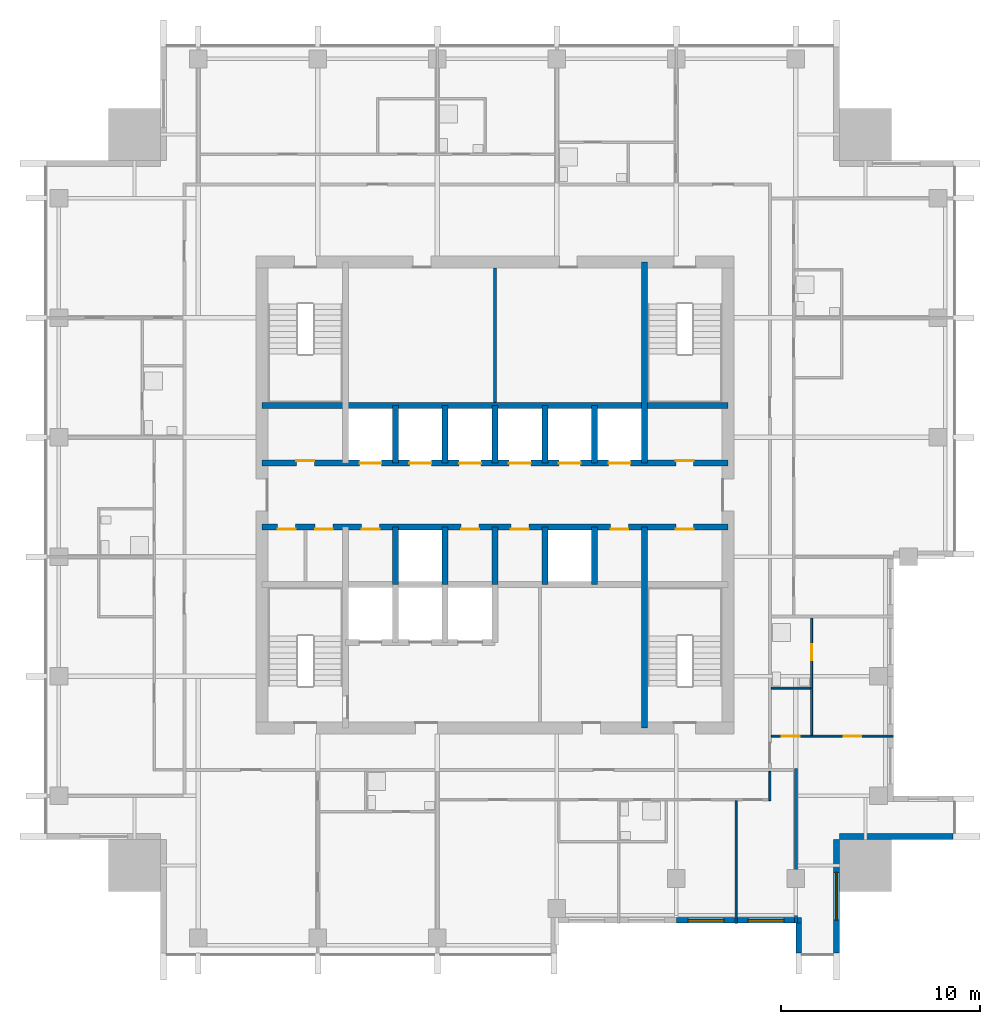
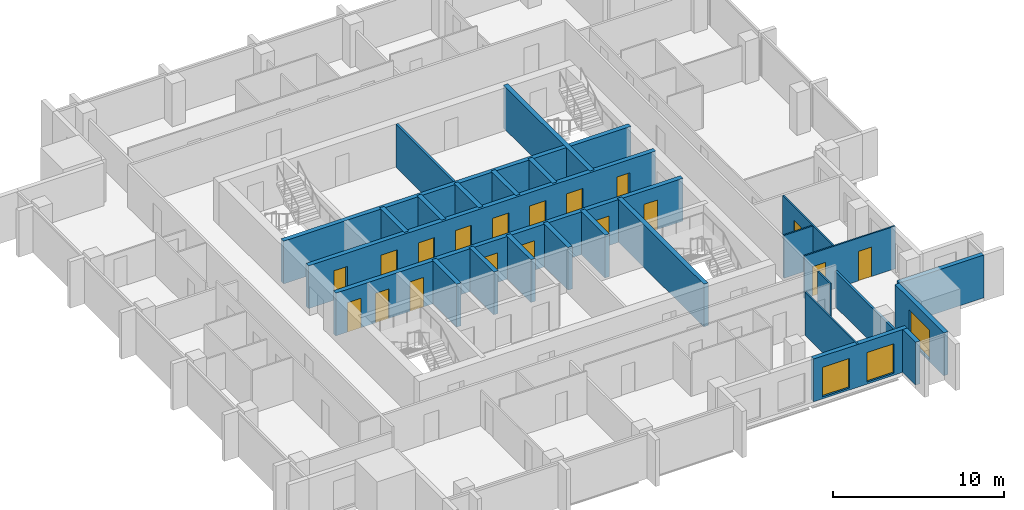
# One storey, part 5 of 9: 26 walls, 18 doors, 3 windows, 21 openings.
"""IFC4 building model written with IfcOpenShell, lengths in metres."""

import ifcopenshell
import ifcopenshell.guid

model = None  # the IFC model being written
_history = None  # IfcOwnerHistory: only IFC2X3 demands one
_inside = {}  # id of a spatial element -> (the spatial element, [elements in it])
_under = {}  # id of a project, library or spatial element -> (it, [spatial elements below it])
_declared = {}  # id of a project -> (the project, [libraries it declares])
_typed = {}  # id of a type object -> (the type object, [elements of that type])
_made_of = {}  # id of a material, layer set ... -> (it, [elements and type objects made of it])


def new_model(schema):
    """Start an empty IFC model of exactly this schema.

    Asked for "IFC4X3", IfcOpenShell would pick the latest addendum, in which some entities
    have other attributes; the version numbers below select the first issue.
    IFC2X3 requires an IfcOwnerHistory on every rooted entity: one is made here for all.
    """
    global model, _history
    if schema == "IFC4X3":
        model = ifcopenshell.file(schema_version=(4, 3, 0, 0))
    else:
        model = ifcopenshell.file(schema=schema)
    _inside.clear()
    _under.clear()
    _declared.clear()
    _typed.clear()
    _made_of.clear()
    _history = None
    if model.schema == "IFC2X3":
        org = make("IfcOrganization", Name="unknown")
        user = make(
            "IfcPersonAndOrganization",
            ThePerson=make("IfcPerson", FamilyName="unknown"),
            TheOrganization=org,
        )
        app = make(
            "IfcApplication",
            ApplicationDeveloper=org,
            Version="unknown",
            ApplicationFullName="unknown",
            ApplicationIdentifier="unknown",
        )
        _history = make(
            "IfcOwnerHistory",
            OwningUser=user,
            OwningApplication=app,
            ChangeAction="ADDED",
            CreationDate=0,
        )
    return model


def make(cls, **values):
    """One entity of the class cls with the attributes given. An attribute that is None is left unset."""
    return model.create_entity(
        cls, **{name: value for name, value in values.items() if value is not None}
    )


def rooted(cls, **values):
    """An entity with a GlobalId (a new one), such as an element, a storey or a relation."""
    return make(cls, GlobalId=ifcopenshell.guid.new(), OwnerHistory=_history, **values)


def si_unit(unit_type, name, prefix=None):
    """IfcSIUnit, for example si_unit("LENGTHUNIT", "METRE", prefix="MILLI")."""
    return make("IfcSIUnit", UnitType=unit_type, Prefix=prefix, Name=name)


def assignment(units):
    """IfcUnitAssignment: the units of a project."""
    return None if units is None else make("IfcUnitAssignment", Units=units)


def point(xyz):
    """IfcCartesianPoint."""
    return None if xyz is None else make("IfcCartesianPoint", Coordinates=xyz)


def direction(xyz):
    """IfcDirection."""
    return None if xyz is None else make("IfcDirection", DirectionRatios=xyz)


def frame(location, z_axis=None, x_axis=None):
    """IfcAxis2Placement3D, a coordinate frame: its origin and axes. An axis left out is left unset."""
    return make(
        "IfcAxis2Placement3D",
        Location=point(location),
        Axis=direction(z_axis),
        RefDirection=direction(x_axis),
    )


def frame_2d(location, x_axis=None):
    """IfcAxis2Placement2D, a coordinate frame in the plane: its origin and x axis."""
    return make(
        "IfcAxis2Placement2D", Location=point(location), RefDirection=direction(x_axis)
    )


def origin():
    """The frame at (0, 0, 0) with its axes left unset."""
    return frame((0.0, 0.0, 0.0))


def place(relative_to, where):
    """IfcLocalPlacement: puts the frame where relative to a parent placement (None: the world)."""
    return make(
        "IfcLocalPlacement", PlacementRelTo=relative_to, RelativePlacement=where
    )


def context(
    kind, dimensions, precision=None, world=None, true_north=None, identifier=None
):
    """IfcGeometricRepresentationContext, for example the 3D "Model" context."""
    return make(
        "IfcGeometricRepresentationContext",
        ContextIdentifier=identifier,
        ContextType=kind,
        CoordinateSpaceDimension=dimensions,
        Precision=precision,
        WorldCoordinateSystem=world,
        TrueNorth=true_north,
    )


def subcontext(parent, identifier, kind, view, scale=None):
    """IfcGeometricRepresentationSubContext, for example "Body" below "Model"."""
    return make(
        "IfcGeometricRepresentationSubContext",
        ContextIdentifier=identifier,
        ContextType=kind,
        ParentContext=parent,
        TargetScale=scale,
        TargetView=view,
    )


def project(units=None, contexts=None):
    """IfcProject with its units and contexts."""
    return rooted(
        "IfcProject",
        Name="project",
        RepresentationContexts=contexts,
        UnitsInContext=assignment(units),
    )


def spatial(cls, under=None, at=None, **own):
    """A site, building, storey or space (cls), placed at a placement, below another one or the project."""
    s = rooted(cls, ObjectPlacement=at, **own)
    if under is not None:
        _under.setdefault(under.id(), (under, []))[1].append(s)
    return s


def profile(cls, at=None, kind="AREA", **sizes):
    """A parametric profile (cls). Its sizes go by their IFC names, for example OverallWidth=200.0."""
    return make(cls, ProfileType=kind, Position=at, **sizes)


def rectangle(**sizes):
    """IfcRectangleProfileDef."""
    return profile("IfcRectangleProfileDef", **sizes)


def extrude(swept, where, along, depth):
    """IfcExtrudedAreaSolid: the profile swept, set in the frame where, extruded along a direction by depth."""
    return make(
        "IfcExtrudedAreaSolid",
        SweptArea=swept,
        Position=where,
        ExtrudedDirection=direction(along),
        Depth=depth,
    )


def shape(context_of_items, identifier, shape_type, items):
    """IfcShapeRepresentation: the items that make up one representation, for example the "Body"."""
    return make(
        "IfcShapeRepresentation",
        ContextOfItems=context_of_items,
        RepresentationIdentifier=identifier,
        RepresentationType=shape_type,
        Items=items,
    )


def material(Name=None, Category=None):
    """IfcMaterial."""
    return make("IfcMaterial", Name=Name, Category=Category)


def layer(
    of_material, thickness, ventilated=None, Name=None, Category=None, Priority=None
):
    """IfcMaterialLayer: one layer of a wall or slab, of a material (None: an air gap)."""
    return make(
        "IfcMaterialLayer",
        Material=of_material,
        LayerThickness=thickness,
        IsVentilated=ventilated,
        Name=Name,
        Category=Category,
        Priority=Priority,
    )


def layer_set(layers, Name=None):
    """IfcMaterialLayerSet."""
    return make("IfcMaterialLayerSet", MaterialLayers=layers, LayerSetName=Name)


def made_of(thing, what):
    """Note that an element or type object is made of a material, layer set ...; save() writes the relation."""
    if what is not None:
        _made_of.setdefault(what.id(), (what, []))[1].append(thing)
    return thing


def type_object(cls, material=None, **own):
    """A type object (cls), such as IfcWallType, which elements share."""
    return made_of(rooted(cls, **own), material)


def element(
    cls,
    number,
    at=None,
    inside=None,
    cuts=None,
    type_object=None,
    material=None,
    context=None,
    identifier="Body",
    shape_type=None,
    held_by="IfcProductDefinitionShape",
    body=None,
    shapes=None,
    **own,
):
    """One element of the class cls, such as IfcWall. Its Tag is "e" and its number.

    at: its placement. inside: the storey or other place that contains it. cuts: it is an
    opening in that element (IfcRelVoidsElement). A single representation is given by context,
    identifier, shape_type and body (its items); several are given by shapes. held_by: the class
    of the entity that holds the representations. save() writes the other relations.
    """
    e = rooted(cls, Tag="e%d" % number, ObjectPlacement=at, **own)
    if body is not None:
        shapes = [shape(context, identifier, shape_type, body)]
    if shapes is not None:
        e.Representation = make(held_by, Representations=shapes)
    if inside is not None:
        _inside.setdefault(inside.id(), (inside, []))[1].append(e)
    if cuts is not None:
        rooted(
            "IfcRelVoidsElement", RelatingBuildingElement=cuts, RelatedOpeningElement=e
        )
    if type_object is not None:
        _typed.setdefault(type_object.id(), (type_object, []))[1].append(e)
    return made_of(e, material)


def fill(opening, filler):
    """IfcRelFillsElement: the door or window that sits in an opening."""
    return rooted(
        "IfcRelFillsElement",
        RelatingOpeningElement=opening,
        RelatedBuildingElement=filler,
    )


def aggregate(whole, parts):
    """IfcRelAggregates: a whole, such as a stair, and the parts it consists of."""
    return rooted("IfcRelAggregates", RelatingObject=whole, RelatedObjects=parts)


def save(model, path):
    """Write the relations noted so far, then the file.

    IfcRelAggregates (storeys below a building ...), IfcRelContainedInSpatialStructure (elements
    in a storey), IfcRelDefinesByType, IfcRelAssociatesMaterial and IfcRelDeclares: one each for
    every whole, place, type object, material and project.
    """
    for whole, parts in _under.values():
        aggregate(whole, parts)
    for where, things in _inside.values():
        rooted(
            "IfcRelContainedInSpatialStructure",
            RelatedElements=things,
            RelatingStructure=where,
        )
    for kind, things in _typed.values():
        rooted("IfcRelDefinesByType", RelatedObjects=things, RelatingType=kind)
    for what, things in _made_of.values():
        rooted("IfcRelAssociatesMaterial", RelatedObjects=things, RelatingMaterial=what)
    for by, libraries in _declared.values():
        rooted("IfcRelDeclares", RelatingContext=by, RelatedDefinitions=libraries)
    model.write(path)


model = new_model("IFC4")

# Units and contexts
model_context = context("Model", 3, precision=1e-05, world=origin(), true_north=direction((0.0, 1.0)))
body_context = subcontext(model_context, "Body", "Model", "MODEL_VIEW")
ifc_project = project(units=[si_unit("LENGTHUNIT", "METRE"), si_unit("AREAUNIT", "SQUARE_METRE"), si_unit("VOLUMEUNIT", "CUBIC_METRE"), si_unit("PLANEANGLEUNIT", "RADIAN"), si_unit("MASSUNIT", "GRAM", prefix="KILO")], contexts=[model_context])

# Site, building, storey
site_placement = place(None, origin())
site = spatial("IfcSite", under=ifc_project, at=site_placement, CompositionType="ELEMENT")
building_placement = place(site_placement, origin())
building = spatial("IfcBuilding", under=site, at=building_placement, Name="Amberfall Residences", CompositionType="ELEMENT")
storey_placement = place(building_placement, frame((0.0, 0.0, 210.10009765625)))
storey = spatial("IfcBuildingStorey", under=building, at=storey_placement, Name="L56", CompositionType="ELEMENT", Elevation=210.10009765625)

# Wall
ifc_material_1 = material(Name="Pale stone cladding on insulated backing", Category="masonry")
ifc_layer_1 = layer(ifc_material_1, 0.300048828125)
ifc_layer_set_1 = layer_set([ifc_layer_1], Name="Bronze clad wall 300")
wall_type_1 = type_object("IfcWallType", Name="Bronze clad wall 300", PredefinedType="SOLIDWALL", material=ifc_layer_set_1)
wall_1_placement = place(storey_placement, frame((89.75, 24.0, 0.0), z_axis=(0.0, 0.0, 1.0), x_axis=(0.0, -1.0, 0.0)))
element("IfcWall", 1, at=wall_1_placement, inside=storey, type_object=wall_type_1, Name="External wall L56 S", PredefinedType="SOLIDWALL", context=body_context, shape_type="SweptSolid", body=[
    extrude(rectangle(XDim=1.5, YDim=0.300048828125, at=frame_2d((0.75, 0.0))), origin(), (0.0, 0.0, 1.0), 3.0498046875),
])

# Wall, opening, window
wall_2_placement = place(storey_placement, frame((91.64990234375, 22.5, 0.0), z_axis=(0.0, 0.0, 1.0), x_axis=(0.0, 1.0, 0.0)))
wall_2 = element("IfcWall", 2, at=wall_2_placement, inside=storey, type_object=wall_type_1, Name="External wall L56 SE", PredefinedType="SOLIDWALL", context=body_context, shape_type="SweptSolid", body=[
    extrude(rectangle(XDim=5.699951171875, YDim=0.300048828125, at=frame_2d((2.85009765625, 0.0))), origin(), (0.0, 0.0, 1.0), 3.0498046875),
])
opening_1_placement = place(wall_2_placement, frame((1.64990234375, 0.0, 0.14990234375)))
opening_1 = element("IfcOpeningElement", 3, at=opening_1_placement, cuts=wall_2, Name="Opening WN5", PredefinedType="OPENING", context=body_context, shape_type="SweptSolid", body=[
    extrude(rectangle(XDim=2.39990234375, YDim=2.10009765625, at=frame_2d((1.199951171875, 1.050048828125))), frame((0.0, 0.159912109375, 0.0), z_axis=(0.0, -1.0, 0.0), x_axis=(1.0, 0.0, 0.0)), (0.0, 0.0, 1.0), 0.320068359375),
])
ifc_material_2 = material(Name="Bronze aluminium framed glazing", Category="aluminium")
window_type_1 = type_object("IfcWindowType", Name="Glazed opening 2400 x 2100 bronze", PartitioningType="DOUBLE_PANEL_VERTICAL", PredefinedType="WINDOW", material=ifc_material_2)
window_1_placement = place(opening_1_placement, origin())
window_1 = element("IfcWindow", 4, at=window_1_placement, inside=storey, type_object=window_type_1, Name="Window L56 SE", OverallHeight=2.10009765625, OverallWidth=2.39990234375, PartitioningType="DOUBLE_PANEL_VERTICAL", PredefinedType="WINDOW", context=body_context, shape_type="SweptSolid", body=[
    extrude(rectangle(XDim=2.39990234375, YDim=2.10009765625, at=frame_2d((1.199951171875, 1.050048828125))), frame((0.0, 0.030029296875, 0.0), z_axis=(0.0, -1.0, 0.0), x_axis=(1.0, 0.0, 0.0)), (0.0, 0.0, 1.0), 0.06005859375),
])
fill(opening_1, window_1)

# Wall
wall_3_placement = place(storey_placement, frame((91.800048828125, 28.35009765625, 0.0), z_axis=(0.0, 0.0, 1.0), x_axis=(1.0, 0.0, 0.0)))
element("IfcWall", 5, at=wall_3_placement, inside=storey, type_object=wall_type_1, Name="External wall L56 SE", PredefinedType="SOLIDWALL", context=body_context, shape_type="SweptSolid", body=[
    extrude(rectangle(XDim=5.699951171875, YDim=0.300048828125, at=frame_2d((2.85009765625, 0.0))), origin(), (0.0, 0.0, 1.0), 3.0498046875),
])

# Wall, openings, windows
wall_4_placement = place(storey_placement, frame((83.60009765625, 24.14990234375, 0.0), z_axis=(0.0, 0.0, 1.0), x_axis=(1.0, 0.0, 0.0)))
wall_4 = element("IfcWall", 6, at=wall_4_placement, inside=storey, type_object=wall_type_1, Name="Stone wall L56 S", PredefinedType="SOLIDWALL", context=body_context, shape_type="SweptSolid", body=[
    extrude(rectangle(XDim=6.2998046875, YDim=0.300048828125, at=frame_2d((3.14990234375, 0.0))), origin(), (0.0, 0.0, 1.0), 3.0498046875),
])
opening_2_placement = place(wall_4_placement, frame((0.60009765625, 0.0, 0.14990234375)))
opening_2 = element("IfcOpeningElement", 7, at=opening_2_placement, cuts=wall_4, Name="Opening WN6", PredefinedType="OPENING", context=body_context, shape_type="SweptSolid", body=[
    extrude(rectangle(XDim=1.800048828125, YDim=2.10009765625, at=frame_2d((0.89990234375, 1.050048828125))), frame((0.0, 0.159912109375, 0.0), z_axis=(0.0, -1.0, 0.0), x_axis=(1.0, 0.0, 0.0)), (0.0, 0.0, 1.0), 0.320068359375),
])
opening_3_placement = place(wall_4_placement, frame((3.60009765625, 0.0, 0.14990234375)))
opening_3 = element("IfcOpeningElement", 8, at=opening_3_placement, cuts=wall_4, Name="Opening WN6", PredefinedType="OPENING", context=body_context, shape_type="SweptSolid", body=[
    extrude(rectangle(XDim=1.800048828125, YDim=2.10009765625, at=frame_2d((0.89990234375, 1.050048828125))), frame((0.0, 0.159912109375, 0.0), z_axis=(0.0, -1.0, 0.0), x_axis=(1.0, 0.0, 0.0)), (0.0, 0.0, 1.0), 0.320068359375),
])
window_type_2 = type_object("IfcWindowType", Name="Glazed opening 1800 x 2100 bronze", PartitioningType="DOUBLE_PANEL_VERTICAL", PredefinedType="WINDOW", material=ifc_material_2)
window_2_placement = place(opening_2_placement, origin())
window_2 = element("IfcWindow", 9, at=window_2_placement, inside=storey, type_object=window_type_2, Name="Window L56 S", OverallHeight=2.10009765625, OverallWidth=1.800048828125, PartitioningType="DOUBLE_PANEL_VERTICAL", PredefinedType="WINDOW", context=body_context, shape_type="SweptSolid", body=[
    extrude(rectangle(XDim=1.800048828125, YDim=2.10009765625, at=frame_2d((0.89990234375, 1.050048828125))), frame((0.0, 0.030029296875, 0.0), z_axis=(0.0, -1.0, 0.0), x_axis=(1.0, 0.0, 0.0)), (0.0, 0.0, 1.0), 0.06005859375),
])
fill(opening_2, window_2)
window_3_placement = place(opening_3_placement, origin())
window_3 = element("IfcWindow", 10, at=window_3_placement, inside=storey, type_object=window_type_2, Name="Window L56 S", OverallHeight=2.10009765625, OverallWidth=1.800048828125, PartitioningType="DOUBLE_PANEL_VERTICAL", PredefinedType="WINDOW", context=body_context, shape_type="SweptSolid", body=[
    extrude(rectangle(XDim=1.800048828125, YDim=2.10009765625, at=frame_2d((0.89990234375, 1.050048828125))), frame((0.0, 0.030029296875, 0.0), z_axis=(0.0, -1.0, 0.0), x_axis=(1.0, 0.0, 0.0)), (0.0, 0.0, 1.0), 0.06005859375),
])
fill(opening_3, window_3)

# Wall, openings, doors
ifc_material_3 = material(Name="Concrete C55", Category="concrete")
ifc_layer_2 = layer(ifc_material_3, 0.300048828125)
ifc_layer_set_2 = layer_set([ifc_layer_2], Name="Core wall 300 C55")
wall_type_2 = type_object("IfcWallType", Name="Core wall 300 C55", PredefinedType="SHEAR", material=ifc_layer_set_2)
wall_5_placement = place(storey_placement, frame((62.800048828125, 43.89990234375, 0.0), z_axis=(0.0, 0.0, 1.0), x_axis=(1.0, 0.0, 0.0)))
wall_5 = element("IfcWall", 11, at=wall_5_placement, inside=storey, type_object=wall_type_2, Name="Core wall RW8 L56 H104", PredefinedType="SHEAR", context=body_context, shape_type="SweptSolid", body=[
    extrude(rectangle(XDim=23.39990234375, YDim=0.300048828125, at=frame_2d((11.699951171875, 0.0))), origin(), (0.0, 0.0, 1.0), 3.0498046875),
])
opening_4_placement = place(wall_5_placement, frame((0.78759765625, 0.0, 0.0)))
opening_4 = element("IfcOpeningElement", 12, at=opening_4_placement, cuts=wall_5, Name="Opening RD1", PredefinedType="OPENING", context=body_context, shape_type="SweptSolid", body=[
    extrude(rectangle(XDim=0.89990234375, YDim=2.10009765625, at=frame_2d((0.449951171875, 1.050048828125))), frame((0.0, 0.159912109375, 0.0), z_axis=(0.0, -1.0, 0.0), x_axis=(1.0, 0.0, 0.0)), (0.0, 0.0, 1.0), 0.320068359375),
])
opening_5_placement = place(wall_5_placement, frame((2.66259765625, 0.0, 0.0)))
opening_5 = element("IfcOpeningElement", 13, at=opening_5_placement, cuts=wall_5, Name="Opening RD1", PredefinedType="OPENING", context=body_context, shape_type="SweptSolid", body=[
    extrude(rectangle(XDim=0.89990234375, YDim=2.10009765625, at=frame_2d((0.449951171875, 1.050048828125))), frame((0.0, 0.159912109375, 0.0), z_axis=(0.0, -1.0, 0.0), x_axis=(1.0, 0.0, 0.0)), (0.0, 0.0, 1.0), 0.320068359375),
])
opening_6_placement = place(wall_5_placement, frame((20.77490234375, 0.0, 0.0)))
opening_6 = element("IfcOpeningElement", 14, at=opening_6_placement, cuts=wall_5, Name="Opening RD1", PredefinedType="OPENING", context=body_context, shape_type="SweptSolid", body=[
    extrude(rectangle(XDim=0.89990234375, YDim=2.10009765625, at=frame_2d((0.449951171875, 1.050048828125))), frame((0.0, 0.159912109375, 0.0), z_axis=(0.0, -1.0, 0.0), x_axis=(1.0, 0.0, 0.0)), (0.0, 0.0, 1.0), 0.320068359375),
])
opening_7_placement = place(wall_5_placement, frame((5.0, 0.0, 0.0)))
opening_7 = element("IfcOpeningElement", 15, at=opening_7_placement, cuts=wall_5, Name="Opening RD1", PredefinedType="OPENING", context=body_context, shape_type="SweptSolid", body=[
    extrude(rectangle(XDim=0.89990234375, YDim=2.10009765625, at=frame_2d((0.449951171875, 1.050048828125))), frame((0.0, 0.159912109375, 0.0), z_axis=(0.0, -1.0, 0.0), x_axis=(1.0, 0.0, 0.0)), (0.0, 0.0, 1.0), 0.320068359375),
])
opening_8_placement = place(wall_5_placement, frame((10.0, 0.0, 0.0)))
opening_8 = element("IfcOpeningElement", 16, at=opening_8_placement, cuts=wall_5, Name="Opening RD1", PredefinedType="OPENING", context=body_context, shape_type="SweptSolid", body=[
    extrude(rectangle(XDim=0.89990234375, YDim=2.10009765625, at=frame_2d((0.449951171875, 1.050048828125))), frame((0.0, 0.159912109375, 0.0), z_axis=(0.0, -1.0, 0.0), x_axis=(1.0, 0.0, 0.0)), (0.0, 0.0, 1.0), 0.320068359375),
])
opening_9_placement = place(wall_5_placement, frame((12.5, 0.0, 0.0)))
opening_9 = element("IfcOpeningElement", 17, at=opening_9_placement, cuts=wall_5, Name="Opening RD1", PredefinedType="OPENING", context=body_context, shape_type="SweptSolid", body=[
    extrude(rectangle(XDim=0.89990234375, YDim=2.10009765625, at=frame_2d((0.449951171875, 1.050048828125))), frame((0.0, 0.159912109375, 0.0), z_axis=(0.0, -1.0, 0.0), x_axis=(1.0, 0.0, 0.0)), (0.0, 0.0, 1.0), 0.320068359375),
])
opening_10_placement = place(wall_5_placement, frame((17.5, 0.0, 0.0)))
opening_10 = element("IfcOpeningElement", 18, at=opening_10_placement, cuts=wall_5, Name="Opening RD1", PredefinedType="OPENING", context=body_context, shape_type="SweptSolid", body=[
    extrude(rectangle(XDim=0.89990234375, YDim=2.10009765625, at=frame_2d((0.449951171875, 1.050048828125))), frame((0.0, 0.159912109375, 0.0), z_axis=(0.0, -1.0, 0.0), x_axis=(1.0, 0.0, 0.0)), (0.0, 0.0, 1.0), 0.320068359375),
])
ifc_material_4 = material(Name="Steel fire door set", Category="steel")
door_type_1 = type_object("IfcDoorType", Name="Service room door 900 x 2100", OperationType="SINGLE_SWING_LEFT", PredefinedType="DOOR", material=ifc_material_4)
door_1_placement = place(opening_4_placement, origin())
door_1 = element("IfcDoor", 19, at=door_1_placement, inside=storey, type_object=door_type_1, Name="RD1 L56", OperationType="SINGLE_SWING_LEFT", OverallHeight=2.10009765625, OverallWidth=0.89990234375, PredefinedType="DOOR", context=body_context, shape_type="SweptSolid", body=[
    extrude(rectangle(XDim=0.89990234375, YDim=2.10009765625, at=frame_2d((0.449951171875, 1.050048828125))), frame((0.0, -0.08740234375, 0.0), z_axis=(0.0, -1.0, 0.0), x_axis=(1.0, 0.0, 0.0)), (0.0, 0.0, 1.0), 0.050048828125),
])
fill(opening_4, door_1)
door_2_placement = place(opening_5_placement, origin())
door_2 = element("IfcDoor", 20, at=door_2_placement, inside=storey, type_object=door_type_1, Name="RD1 L56", OperationType="SINGLE_SWING_RIGHT", OverallHeight=2.10009765625, OverallWidth=0.89990234375, PredefinedType="DOOR", context=body_context, shape_type="SweptSolid", body=[
    extrude(rectangle(XDim=0.89990234375, YDim=2.10009765625, at=frame_2d((0.449951171875, 1.050048828125))), frame((0.0, -0.08740234375, 0.0), z_axis=(0.0, -1.0, 0.0), x_axis=(1.0, 0.0, 0.0)), (0.0, 0.0, 1.0), 0.050048828125),
])
fill(opening_5, door_2)
door_3_placement = place(opening_6_placement, origin())
door_3 = element("IfcDoor", 21, at=door_3_placement, inside=storey, type_object=door_type_1, Name="RD1 L56", OperationType="SINGLE_SWING_LEFT", OverallHeight=2.10009765625, OverallWidth=0.89990234375, PredefinedType="DOOR", context=body_context, shape_type="SweptSolid", body=[
    extrude(rectangle(XDim=0.89990234375, YDim=2.10009765625, at=frame_2d((0.449951171875, 1.050048828125))), frame((0.0, -0.08740234375, 0.0), z_axis=(0.0, -1.0, 0.0), x_axis=(1.0, 0.0, 0.0)), (0.0, 0.0, 1.0), 0.050048828125),
])
fill(opening_6, door_3)
door_4_placement = place(opening_7_placement, origin())
door_4 = element("IfcDoor", 22, at=door_4_placement, inside=storey, type_object=door_type_1, Name="RD1 L56", OperationType="SINGLE_SWING_RIGHT", OverallHeight=2.10009765625, OverallWidth=0.89990234375, PredefinedType="DOOR", context=body_context, shape_type="SweptSolid", body=[
    extrude(rectangle(XDim=0.89990234375, YDim=2.10009765625, at=frame_2d((0.449951171875, 1.050048828125))), frame((0.0, -0.08740234375, 0.0), z_axis=(0.0, -1.0, 0.0), x_axis=(1.0, 0.0, 0.0)), (0.0, 0.0, 1.0), 0.050048828125),
])
fill(opening_7, door_4)
door_5_placement = place(opening_8_placement, origin())
door_5 = element("IfcDoor", 23, at=door_5_placement, inside=storey, type_object=door_type_1, Name="RD1 L56", OperationType="SINGLE_SWING_RIGHT", OverallHeight=2.10009765625, OverallWidth=0.89990234375, PredefinedType="DOOR", context=body_context, shape_type="SweptSolid", body=[
    extrude(rectangle(XDim=0.89990234375, YDim=2.10009765625, at=frame_2d((0.449951171875, 1.050048828125))), frame((0.0, -0.08740234375, 0.0), z_axis=(0.0, -1.0, 0.0), x_axis=(1.0, 0.0, 0.0)), (0.0, 0.0, 1.0), 0.050048828125),
])
fill(opening_8, door_5)
door_6_placement = place(opening_9_placement, origin())
door_6 = element("IfcDoor", 24, at=door_6_placement, inside=storey, type_object=door_type_1, Name="RD1 L56", OperationType="SINGLE_SWING_LEFT", OverallHeight=2.10009765625, OverallWidth=0.89990234375, PredefinedType="DOOR", context=body_context, shape_type="SweptSolid", body=[
    extrude(rectangle(XDim=0.89990234375, YDim=2.10009765625, at=frame_2d((0.449951171875, 1.050048828125))), frame((0.0, -0.08740234375, 0.0), z_axis=(0.0, -1.0, 0.0), x_axis=(1.0, 0.0, 0.0)), (0.0, 0.0, 1.0), 0.050048828125),
])
fill(opening_9, door_6)
door_7_placement = place(opening_10_placement, origin())
door_7 = element("IfcDoor", 25, at=door_7_placement, inside=storey, type_object=door_type_1, Name="RD1 L56", OperationType="SINGLE_SWING_LEFT", OverallHeight=2.10009765625, OverallWidth=0.89990234375, PredefinedType="DOOR", context=body_context, shape_type="SweptSolid", body=[
    extrude(rectangle(XDim=0.89990234375, YDim=2.10009765625, at=frame_2d((0.449951171875, 1.050048828125))), frame((0.0, -0.08740234375, 0.0), z_axis=(0.0, -1.0, 0.0), x_axis=(1.0, 0.0, 0.0)), (0.0, 0.0, 1.0), 0.050048828125),
])
fill(opening_10, door_7)

wall_6_placement = place(storey_placement, frame((62.800048828125, 47.10009765625, 0.0), z_axis=(0.0, 0.0, 1.0), x_axis=(1.0, 0.0, 0.0)))
wall_6 = element("IfcWall", 26, at=wall_6_placement, inside=storey, type_object=wall_type_2, Name="Core wall RW8 L56 H136", PredefinedType="SHEAR", context=body_context, shape_type="SweptSolid", body=[
    extrude(rectangle(XDim=23.39990234375, YDim=0.300048828125, at=frame_2d((11.699951171875, 0.0))), origin(), (0.0, 0.0, 1.0), 3.0498046875),
])
opening_11_placement = place(wall_6_placement, frame((1.72509765625, 0.0, 0.0)))
opening_11 = element("IfcOpeningElement", 27, at=opening_11_placement, cuts=wall_6, Name="Opening RD1", PredefinedType="OPENING", context=body_context, shape_type="SweptSolid", body=[
    extrude(rectangle(XDim=0.89990234375, YDim=2.10009765625, at=frame_2d((0.449951171875, 1.050048828125))), frame((0.0, 0.159912109375, 0.0), z_axis=(0.0, -1.0, 0.0), x_axis=(1.0, 0.0, 0.0)), (0.0, 0.0, 1.0), 0.320068359375),
])
opening_12_placement = place(wall_6_placement, frame((20.77490234375, 0.0, 0.0)))
opening_12 = element("IfcOpeningElement", 28, at=opening_12_placement, cuts=wall_6, Name="Opening RD1", PredefinedType="OPENING", context=body_context, shape_type="SweptSolid", body=[
    extrude(rectangle(XDim=0.89990234375, YDim=2.10009765625, at=frame_2d((0.449951171875, 1.050048828125))), frame((0.0, 0.159912109375, 0.0), z_axis=(0.0, -1.0, 0.0), x_axis=(1.0, 0.0, 0.0)), (0.0, 0.0, 1.0), 0.320068359375),
])
opening_13_placement = place(wall_6_placement, frame((4.89990234375, 0.0, 0.0)))
opening_13 = element("IfcOpeningElement", 29, at=opening_13_placement, cuts=wall_6, Name="Opening LD1", PredefinedType="OPENING", context=body_context, shape_type="SweptSolid", body=[
    extrude(rectangle(XDim=1.10009765625, YDim=2.10009765625, at=frame_2d((0.550048828125, 1.050048828125))), frame((0.0, 0.159912109375, 0.0), z_axis=(0.0, -1.0, 0.0), x_axis=(1.0, 0.0, 0.0)), (0.0, 0.0, 1.0), 0.320068359375),
])
opening_14_placement = place(wall_6_placement, frame((7.39990234375, 0.0, 0.0)))
opening_14 = element("IfcOpeningElement", 30, at=opening_14_placement, cuts=wall_6, Name="Opening LD1", PredefinedType="OPENING", context=body_context, shape_type="SweptSolid", body=[
    extrude(rectangle(XDim=1.10009765625, YDim=2.10009765625, at=frame_2d((0.550048828125, 1.050048828125))), frame((0.0, 0.159912109375, 0.0), z_axis=(0.0, -1.0, 0.0), x_axis=(1.0, 0.0, 0.0)), (0.0, 0.0, 1.0), 0.320068359375),
])
opening_15_placement = place(wall_6_placement, frame((9.89990234375, 0.0, 0.0)))
opening_15 = element("IfcOpeningElement", 31, at=opening_15_placement, cuts=wall_6, Name="Opening LD1", PredefinedType="OPENING", context=body_context, shape_type="SweptSolid", body=[
    extrude(rectangle(XDim=1.10009765625, YDim=2.10009765625, at=frame_2d((0.550048828125, 1.050048828125))), frame((0.0, 0.159912109375, 0.0), z_axis=(0.0, -1.0, 0.0), x_axis=(1.0, 0.0, 0.0)), (0.0, 0.0, 1.0), 0.320068359375),
])
opening_16_placement = place(wall_6_placement, frame((12.39990234375, 0.0, 0.0)))
opening_16 = element("IfcOpeningElement", 32, at=opening_16_placement, cuts=wall_6, Name="Opening LD1", PredefinedType="OPENING", context=body_context, shape_type="SweptSolid", body=[
    extrude(rectangle(XDim=1.10009765625, YDim=2.10009765625, at=frame_2d((0.550048828125, 1.050048828125))), frame((0.0, 0.159912109375, 0.0), z_axis=(0.0, -1.0, 0.0), x_axis=(1.0, 0.0, 0.0)), (0.0, 0.0, 1.0), 0.320068359375),
])
opening_17_placement = place(wall_6_placement, frame((14.89990234375, 0.0, 0.0)))
opening_17 = element("IfcOpeningElement", 33, at=opening_17_placement, cuts=wall_6, Name="Opening LD1", PredefinedType="OPENING", context=body_context, shape_type="SweptSolid", body=[
    extrude(rectangle(XDim=1.10009765625, YDim=2.10009765625, at=frame_2d((0.550048828125, 1.050048828125))), frame((0.0, 0.159912109375, 0.0), z_axis=(0.0, -1.0, 0.0), x_axis=(1.0, 0.0, 0.0)), (0.0, 0.0, 1.0), 0.320068359375),
])
opening_18_placement = place(wall_6_placement, frame((17.39990234375, 0.0, 0.0)))
opening_18 = element("IfcOpeningElement", 34, at=opening_18_placement, cuts=wall_6, Name="Opening LD1", PredefinedType="OPENING", context=body_context, shape_type="SweptSolid", body=[
    extrude(rectangle(XDim=1.10009765625, YDim=2.10009765625, at=frame_2d((0.550048828125, 1.050048828125))), frame((0.0, 0.159912109375, 0.0), z_axis=(0.0, -1.0, 0.0), x_axis=(1.0, 0.0, 0.0)), (0.0, 0.0, 1.0), 0.320068359375),
])
door_type_2 = type_object("IfcDoorType", Name="Lift landing door 1100 x 2100", OperationType="DOUBLE_DOOR_SLIDING", PredefinedType="DOOR", material=ifc_material_4)
door_8_placement = place(opening_13_placement, origin())
door_8 = element("IfcDoor", 35, at=door_8_placement, inside=storey, type_object=door_type_2, Name="Landing door HP1 L56", OperationType="DOUBLE_DOOR_SLIDING", OverallHeight=2.10009765625, OverallWidth=1.10009765625, PredefinedType="DOOR", context=body_context, shape_type="SweptSolid", body=[
    extrude(rectangle(XDim=1.10009765625, YDim=2.10009765625, at=frame_2d((0.550048828125, 1.050048828125))), frame((0.0, 0.02490234375, 0.0), z_axis=(0.0, -1.0, 0.0), x_axis=(1.0, 0.0, 0.0)), (0.0, 0.0, 1.0), 0.050048828125),
])
fill(opening_13, door_8)
door_9_placement = place(opening_14_placement, origin())
door_9 = element("IfcDoor", 36, at=door_9_placement, inside=storey, type_object=door_type_2, Name="Landing door HP2 L56", OperationType="DOUBLE_DOOR_SLIDING", OverallHeight=2.10009765625, OverallWidth=1.10009765625, PredefinedType="DOOR", context=body_context, shape_type="SweptSolid", body=[
    extrude(rectangle(XDim=1.10009765625, YDim=2.10009765625, at=frame_2d((0.550048828125, 1.050048828125))), frame((0.0, 0.02490234375, 0.0), z_axis=(0.0, -1.0, 0.0), x_axis=(1.0, 0.0, 0.0)), (0.0, 0.0, 1.0), 0.050048828125),
])
fill(opening_14, door_9)
door_10_placement = place(opening_15_placement, origin())
door_10 = element("IfcDoor", 37, at=door_10_placement, inside=storey, type_object=door_type_2, Name="Landing door HP3 L56", OperationType="DOUBLE_DOOR_SLIDING", OverallHeight=2.10009765625, OverallWidth=1.10009765625, PredefinedType="DOOR", context=body_context, shape_type="SweptSolid", body=[
    extrude(rectangle(XDim=1.10009765625, YDim=2.10009765625, at=frame_2d((0.550048828125, 1.050048828125))), frame((0.0, 0.02490234375, 0.0), z_axis=(0.0, -1.0, 0.0), x_axis=(1.0, 0.0, 0.0)), (0.0, 0.0, 1.0), 0.050048828125),
])
fill(opening_15, door_10)
door_11_placement = place(opening_16_placement, origin())
door_11 = element("IfcDoor", 38, at=door_11_placement, inside=storey, type_object=door_type_2, Name="Landing door HP4 L56", OperationType="DOUBLE_DOOR_SLIDING", OverallHeight=2.10009765625, OverallWidth=1.10009765625, PredefinedType="DOOR", context=body_context, shape_type="SweptSolid", body=[
    extrude(rectangle(XDim=1.10009765625, YDim=2.10009765625, at=frame_2d((0.550048828125, 1.050048828125))), frame((0.0, 0.02490234375, 0.0), z_axis=(0.0, -1.0, 0.0), x_axis=(1.0, 0.0, 0.0)), (0.0, 0.0, 1.0), 0.050048828125),
])
fill(opening_16, door_11)
door_12_placement = place(opening_17_placement, origin())
door_12 = element("IfcDoor", 39, at=door_12_placement, inside=storey, type_object=door_type_2, Name="Landing door HP5 L56", OperationType="DOUBLE_DOOR_SLIDING", OverallHeight=2.10009765625, OverallWidth=1.10009765625, PredefinedType="DOOR", context=body_context, shape_type="SweptSolid", body=[
    extrude(rectangle(XDim=1.10009765625, YDim=2.10009765625, at=frame_2d((0.550048828125, 1.050048828125))), frame((0.0, 0.02490234375, 0.0), z_axis=(0.0, -1.0, 0.0), x_axis=(1.0, 0.0, 0.0)), (0.0, 0.0, 1.0), 0.050048828125),
])
fill(opening_17, door_12)
door_13_placement = place(opening_18_placement, origin())
door_13 = element("IfcDoor", 40, at=door_13_placement, inside=storey, type_object=door_type_2, Name="Landing door HP6 L56", OperationType="DOUBLE_DOOR_SLIDING", OverallHeight=2.10009765625, OverallWidth=1.10009765625, PredefinedType="DOOR", context=body_context, shape_type="SweptSolid", body=[
    extrude(rectangle(XDim=1.10009765625, YDim=2.10009765625, at=frame_2d((0.550048828125, 1.050048828125))), frame((0.0, 0.02490234375, 0.0), z_axis=(0.0, -1.0, 0.0), x_axis=(1.0, 0.0, 0.0)), (0.0, 0.0, 1.0), 0.050048828125),
])
fill(opening_18, door_13)
door_14_placement = place(opening_11_placement, origin())
door_14 = element("IfcDoor", 41, at=door_14_placement, inside=storey, type_object=door_type_1, Name="RD1 L56", OperationType="SINGLE_SWING_LEFT", OverallHeight=2.10009765625, OverallWidth=0.89990234375, PredefinedType="DOOR", context=body_context, shape_type="SweptSolid", body=[
    extrude(rectangle(XDim=0.89990234375, YDim=2.10009765625, at=frame_2d((0.449951171875, 1.050048828125))), frame((0.0, 0.1376953125, 0.0), z_axis=(0.0, -1.0, 0.0), x_axis=(1.0, 0.0, 0.0)), (0.0, 0.0, 1.0), 0.050048828125),
])
fill(opening_11, door_14)
door_15_placement = place(opening_12_placement, origin())
door_15 = element("IfcDoor", 42, at=door_15_placement, inside=storey, type_object=door_type_1, Name="RD1 L56", OperationType="SINGLE_SWING_LEFT", OverallHeight=2.10009765625, OverallWidth=0.89990234375, PredefinedType="DOOR", context=body_context, shape_type="SweptSolid", body=[
    extrude(rectangle(XDim=0.89990234375, YDim=2.10009765625, at=frame_2d((0.449951171875, 1.050048828125))), frame((0.0, 0.1376953125, 0.0), z_axis=(0.0, -1.0, 0.0), x_axis=(1.0, 0.0, 0.0)), (0.0, 0.0, 1.0), 0.050048828125),
])
fill(opening_12, door_15)

# Walls
wall_7_placement = place(storey_placement, frame((62.800048828125, 50.0, 0.0), z_axis=(0.0, 0.0, 1.0), x_axis=(1.0, 0.0, 0.0)))
element("IfcWall", 43, at=wall_7_placement, inside=storey, type_object=wall_type_2, Name="Core wall RW8 L56 H165", PredefinedType="SHEAR", context=body_context, shape_type="SweptSolid", body=[
    extrude(rectangle(XDim=23.39990234375, YDim=0.300048828125, at=frame_2d((11.699951171875, 0.0))), origin(), (0.0, 0.0, 1.0), 3.0498046875),
])
for number, where, z_axis, x_axis, name in (
    (44, (82.0, 33.800048828125, 0.0), (0.0, 0.0, 1.0), (0.0, 1.0, 0.0), "Core wall RW8 L56 V195S"),
    (45, (82.0, 47.10009765625, 0.0), (0.0, 0.0, 1.0), (0.0, 1.0, 0.0), "Core wall RW8 L56 V195N"),
):
    element("IfcWall", number, at=place(storey_placement, frame(where, z_axis=z_axis, x_axis=x_axis)), inside=storey, type_object=wall_type_2, Name=name, PredefinedType="SHEAR", context=body_context, shape_type="SweptSolid", body=[
        extrude(rectangle(XDim=10.099853515625, YDim=0.300048828125, at=frame_2d((5.0498046875, 0.0))), origin(), (0.0, 0.0, 1.0), 3.0498046875),
    ])
for number, where, z_axis, x_axis, name in (
    (46, (69.5, 41.0, 0.0), (0.0, 0.0, 1.0), (0.0, 1.0, 0.0), "Core wall RW8 L56 LPD1"),
    (47, (69.5, 47.10009765625, 0.0), (0.0, 0.0, 1.0), (0.0, 1.0, 0.0), "Core wall RW8 L56 HPD1"),
    (48, (72.0, 41.0, 0.0), (0.0, 0.0, 1.0), (0.0, 1.0, 0.0), "Core wall RW8 L56 LPD2"),
    (49, (72.0, 47.10009765625, 0.0), (0.0, 0.0, 1.0), (0.0, 1.0, 0.0), "Core wall RW8 L56 HPD2"),
    (50, (74.5, 41.0, 0.0), (0.0, 0.0, 1.0), (0.0, 1.0, 0.0), "Core wall RW8 L56 LPD3"),
    (51, (74.5, 47.10009765625, 0.0), (0.0, 0.0, 1.0), (0.0, 1.0, 0.0), "Core wall RW8 L56 HPD3"),
    (52, (77.0, 41.0, 0.0), (0.0, 0.0, 1.0), (0.0, 1.0, 0.0), "Core wall RW8 L56 LPD4"),
    (53, (77.0, 47.10009765625, 0.0), (0.0, 0.0, 1.0), (0.0, 1.0, 0.0), "Core wall RW8 L56 HPD4"),
    (54, (79.5, 41.0, 0.0), (0.0, 0.0, 1.0), (0.0, 1.0, 0.0), "Core wall RW8 L56 LPD5"),
    (55, (79.5, 47.10009765625, 0.0), (0.0, 0.0, 1.0), (0.0, 1.0, 0.0), "Core wall RW8 L56 HPD5"),
):
    element("IfcWall", number, at=place(storey_placement, frame(where, z_axis=z_axis, x_axis=x_axis)), inside=storey, type_object=wall_type_2, Name=name, PredefinedType="SHEAR", context=body_context, shape_type="SweptSolid", body=[
        extrude(rectangle(XDim=2.89990234375, YDim=0.300048828125, at=frame_2d((1.449951171875, 0.0))), origin(), (0.0, 0.0, 1.0), 3.0498046875),
    ])
ifc_material_5 = material(Name="Gypsum board on metal stud")
ifc_layer_3 = layer(ifc_material_5, 0.10009765625)
ifc_layer_set_3 = layer_set([ifc_layer_3], Name="Flat partition 100")
wall_type_3 = type_object("IfcWallType", Name="Flat partition 100", PredefinedType="PARTITIONING", material=ifc_layer_set_3)
wall_8_placement = place(storey_placement, frame((86.60009765625, 24.0, 0.0), z_axis=(0.0, 0.0, 1.0), x_axis=(0.0, 1.0, 0.0)))
element("IfcWall", 56, at=wall_8_placement, inside=storey, type_object=wall_type_3, Name="Partition 014", PredefinedType="PARTITIONING", context=body_context, shape_type="SweptSolid", body=[
    extrude(rectangle(XDim=6.14990234375, YDim=0.10009765625, at=frame_2d((3.074951171875, 0.0))), origin(), (0.0, 0.0, 1.0), 3.0498046875),
])
wall_9_placement = place(storey_placement, frame((88.300048828125, 30.14990234375, 0.0), z_axis=(0.0, 0.0, 1.0), x_axis=(0.0, 1.0, 0.0)))
element("IfcWall", 57, at=wall_9_placement, inside=storey, type_object=wall_type_3, Name="Partition 015", PredefinedType="PARTITIONING", context=body_context, shape_type="SweptSolid", body=[
    extrude(rectangle(XDim=1.47509765625, YDim=0.10009765625, at=frame_2d((0.737548828125, 0.0))), origin(), (0.0, 0.0, 1.0), 3.0498046875),
])

# Wall, opening, door
wall_10_placement = place(storey_placement, frame((90.39990234375, 33.449951171875, 0.0), z_axis=(0.0, 0.0, 1.0), x_axis=(0.0, 1.0, 0.0)))
wall_10 = element("IfcWall", 58, at=wall_10_placement, inside=storey, type_object=wall_type_3, Name="Partition 017", PredefinedType="PARTITIONING", context=body_context, shape_type="SweptSolid", body=[
    extrude(rectangle(XDim=5.875, YDim=0.10009765625, at=frame_2d((2.9375, 0.0))), origin(), (0.0, 0.0, 1.0), 3.0498046875),
])
opening_19_placement = place(wall_10_placement, frame((3.75, 0.0, 0.0)))
opening_19 = element("IfcOpeningElement", 59, at=opening_19_placement, cuts=wall_10, Name="Opening D42", PredefinedType="OPENING", context=body_context, shape_type="SweptSolid", body=[
    extrude(rectangle(XDim=0.800048828125, YDim=2.10009765625, at=frame_2d((0.39990234375, 1.050048828125))), frame((0.0, 0.06005859375, 0.0), z_axis=(0.0, -1.0, 0.0), x_axis=(1.0, 0.0, 0.0)), (0.0, 0.0, 1.0), 0.1201171875),
])
ifc_material_6 = material(Name="Timber", Category="wood")
door_type_3 = type_object("IfcDoorType", Name="Bathroom door 800 x 2100", OperationType="SINGLE_SWING_LEFT", PredefinedType="DOOR", material=ifc_material_6)
door_16_placement = place(opening_19_placement, origin())
door_16 = element("IfcDoor", 60, at=door_16_placement, inside=storey, type_object=door_type_3, Name="Door 5603 bath1", OperationType="SINGLE_SWING_LEFT", OverallHeight=2.10009765625, OverallWidth=0.800048828125, PredefinedType="DOOR", context=body_context, shape_type="SweptSolid", body=[
    extrude(rectangle(XDim=0.800048828125, YDim=2.10009765625, at=frame_2d((0.39990234375, 1.050048828125))), frame((0.0, 0.02490234375, 0.0), z_axis=(0.0, -1.0, 0.0), x_axis=(1.0, 0.0, 0.0)), (0.0, 0.0, 1.0), 0.050048828125),
])
fill(opening_19, door_16)

# Wall
wall_11_placement = place(storey_placement, frame((88.375, 35.800048828125, 0.0), z_axis=(0.0, 0.0, 1.0), x_axis=(1.0, 0.0, 0.0)))
element("IfcWall", 61, at=wall_11_placement, inside=storey, type_object=wall_type_3, Name="Partition 031", PredefinedType="PARTITIONING", context=body_context, shape_type="SweptSolid", body=[
    extrude(rectangle(XDim=1.97509765625, YDim=0.10009765625, at=frame_2d((0.987548828125, 0.0))), origin(), (0.0, 0.0, 1.0), 3.0498046875),
])

# Wall, openings, doors
wall_12_placement = place(storey_placement, frame((88.375, 33.39990234375, 0.0), z_axis=(0.0, 0.0, 1.0), x_axis=(1.0, 0.0, 0.0)))
wall_12 = element("IfcWall", 62, at=wall_12_placement, inside=storey, type_object=wall_type_3, Name="Partition 032", PredefinedType="PARTITIONING", context=body_context, shape_type="SweptSolid", body=[
    extrude(rectangle(XDim=6.125, YDim=0.10009765625, at=frame_2d((3.0625, 0.0))), origin(), (0.0, 0.0, 1.0), 3.0498046875),
])
opening_20_placement = place(wall_12_placement, frame((0.52490234375, 0.0, 0.0)))
opening_20 = element("IfcOpeningElement", 63, at=opening_20_placement, cuts=wall_12, Name="Opening D41", PredefinedType="OPENING", context=body_context, shape_type="SweptSolid", body=[
    extrude(rectangle(XDim=0.89990234375, YDim=2.10009765625, at=frame_2d((0.449951171875, 1.050048828125))), frame((0.0, 0.06005859375, 0.0), z_axis=(0.0, -1.0, 0.0), x_axis=(1.0, 0.0, 0.0)), (0.0, 0.0, 1.0), 0.1201171875),
])
opening_21_placement = place(wall_12_placement, frame((3.625, 0.0, 0.0)))
opening_21 = element("IfcOpeningElement", 64, at=opening_21_placement, cuts=wall_12, Name="Opening D41", PredefinedType="OPENING", context=body_context, shape_type="SweptSolid", body=[
    extrude(rectangle(XDim=0.89990234375, YDim=2.10009765625, at=frame_2d((0.449951171875, 1.050048828125))), frame((0.0, 0.06005859375, 0.0), z_axis=(0.0, -1.0, 0.0), x_axis=(1.0, 0.0, 0.0)), (0.0, 0.0, 1.0), 0.1201171875),
])
door_type_4 = type_object("IfcDoorType", Name="Internal door 900 x 2100", OperationType="SINGLE_SWING_LEFT", PredefinedType="DOOR", material=ifc_material_6)
door_17_placement = place(opening_20_placement, origin())
door_17 = element("IfcDoor", 65, at=door_17_placement, inside=storey, type_object=door_type_4, Name="Door 5603 kitchen", OperationType="SINGLE_SWING_LEFT", OverallHeight=2.10009765625, OverallWidth=0.89990234375, PredefinedType="DOOR", context=body_context, shape_type="SweptSolid", body=[
    extrude(rectangle(XDim=0.89990234375, YDim=2.10009765625, at=frame_2d((0.449951171875, 1.050048828125))), frame((0.0, 0.02490234375, 0.0), z_axis=(0.0, -1.0, 0.0), x_axis=(1.0, 0.0, 0.0)), (0.0, 0.0, 1.0), 0.050048828125),
])
fill(opening_20, door_17)
door_18_placement = place(opening_21_placement, origin())
door_18 = element("IfcDoor", 66, at=door_18_placement, inside=storey, type_object=door_type_4, Name="Door 5603 bedroom1", OperationType="SINGLE_SWING_LEFT", OverallHeight=2.10009765625, OverallWidth=0.89990234375, PredefinedType="DOOR", context=body_context, shape_type="SweptSolid", body=[
    extrude(rectangle(XDim=0.89990234375, YDim=2.10009765625, at=frame_2d((0.449951171875, 1.050048828125))), frame((0.0, 0.02490234375, 0.0), z_axis=(0.0, -1.0, 0.0), x_axis=(1.0, 0.0, 0.0)), (0.0, 0.0, 1.0), 0.050048828125),
])
fill(opening_21, door_18)

# Walls
ifc_material_7 = material(Name="Blockwork, plastered", Category="masonry")
ifc_layer_4 = layer(ifc_material_7, 0.14990234375)
ifc_layer_set_4 = layer_set([ifc_layer_4], Name="Flat separating wall 150")
wall_type_4 = type_object("IfcWallType", Name="Flat separating wall 150", PredefinedType="PARTITIONING", material=ifc_layer_set_4)
wall_13_placement = place(storey_placement, frame((89.60009765625, 24.0, 0.0), z_axis=(0.0, 0.0, 1.0), x_axis=(0.0, 1.0, 0.0)))
element("IfcWall", 67, at=wall_13_placement, inside=storey, type_object=wall_type_4, Name="Separating wall 042", PredefinedType="PARTITIONING", context=body_context, shape_type="SweptSolid", body=[
    extrude(rectangle(XDim=7.77490234375, YDim=0.14990234375, at=frame_2d((3.887451171875, 0.0))), origin(), (0.0, 0.0, 1.0), 2.515869140625),
])
ifc_material_8 = material(Name="Concrete blockwork", Category="masonry")
ifc_layer_5 = layer(ifc_material_8, 0.14990234375)
ifc_layer_set_5 = layer_set([ifc_layer_5], Name="Riser wall 150")
wall_type_5 = type_object("IfcWallType", Name="Riser wall 150", PredefinedType="PLUMBINGWALL", material=ifc_layer_set_5)
wall_14_placement = place(storey_placement, frame((74.5, 50.14990234375, 0.0), z_axis=(0.0, 0.0, 1.0), x_axis=(0.0, 1.0, 0.0)))
element("IfcWall", 68, at=wall_14_placement, inside=storey, type_object=wall_type_5, Name="L56 core wall N0", PredefinedType="PLUMBINGWALL", context=body_context, shape_type="SweptSolid", body=[
    extrude(rectangle(XDim=6.75, YDim=0.14990234375, at=frame_2d((3.375, 0.0))), origin(), (0.0, 0.0, 1.0), 3.0498046875),
])

save(model, "model.ifc")
